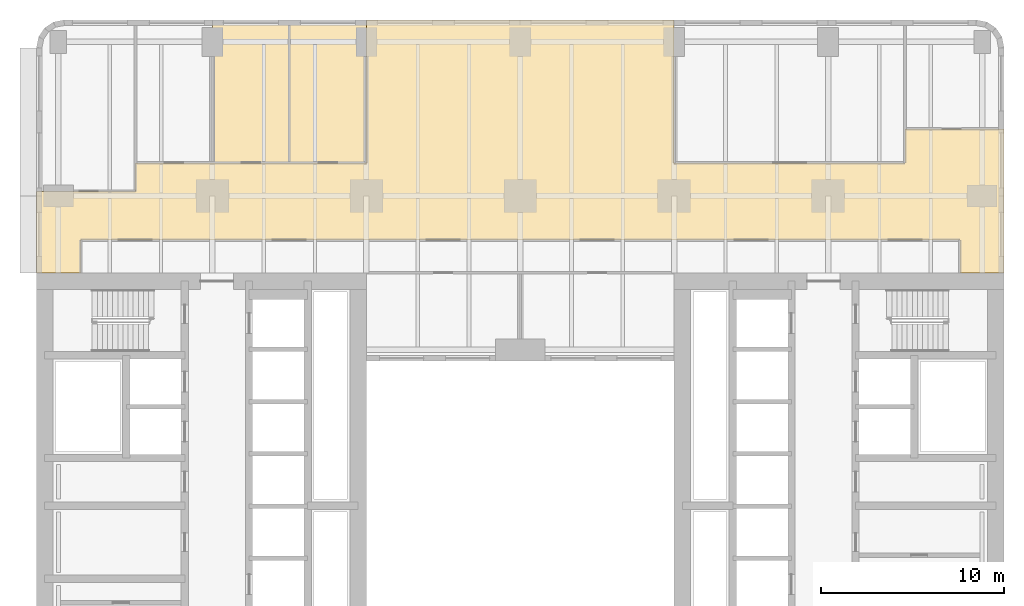
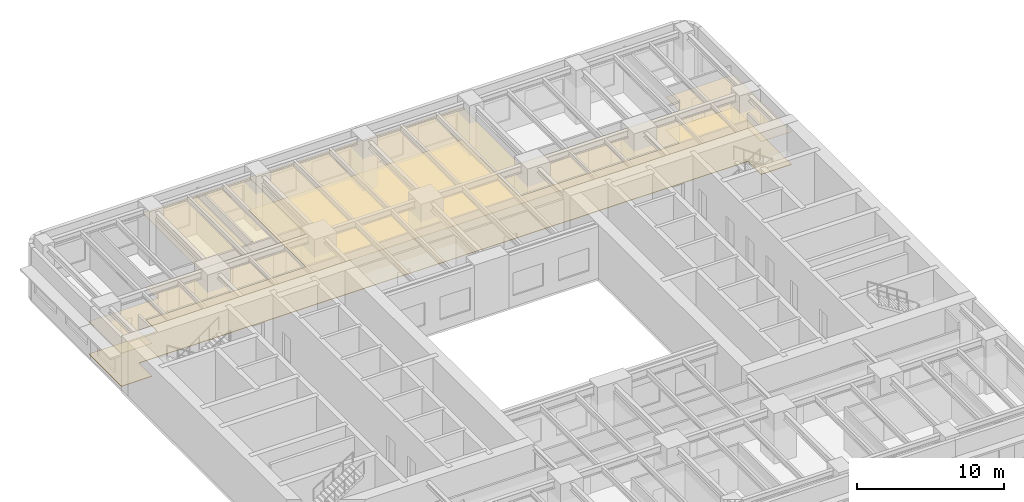
# One storey, part 13 of 14: 4 coverings.
"""IFC4 building model written with IfcOpenShell, lengths in metres."""

from ifc_helpers import new_model, si_unit, direction, frame, origin, place, context, subcontext, project, spatial, polyline, outline, extrude, material, layer, layer_set, type_object, element, save


model = new_model("IFC4")

# Units and contexts
model_context = context("Model", 3, precision=1e-05, world=origin(), true_north=direction((0.0, 1.0)))
body_context = subcontext(model_context, "Body", "Model", "MODEL_VIEW")
ifc_project = project(units=[si_unit("LENGTHUNIT", "METRE"), si_unit("AREAUNIT", "SQUARE_METRE"), si_unit("VOLUMEUNIT", "CUBIC_METRE"), si_unit("PLANEANGLEUNIT", "RADIAN"), si_unit("MASSUNIT", "GRAM", prefix="KILO")], contexts=[model_context])

# Site, building, storey
site_placement = place(None, origin())
site = spatial("IfcSite", under=ifc_project, at=site_placement, CompositionType="ELEMENT")
building_placement = place(site_placement, origin())
building = spatial("IfcBuilding", under=site, at=building_placement, Name="Claustro Exchange Tower", CompositionType="ELEMENT")
storey_placement = place(building_placement, frame((0.0, 0.0, 72.89990234375)))
storey = spatial("IfcBuildingStorey", under=building, at=storey_placement, Name="L16", CompositionType="ELEMENT", Elevation=72.89990234375)

# Coverings
ifc_material_1 = material(Name="Gypsum board ceiling", Category="gypsum board")
ifc_layer_1 = layer(ifc_material_1, 0.02490234375)
ifc_layer_set_1 = layer_set([ifc_layer_1], Name="Gypsum board ceiling")
covering_type_1 = type_object("IfcCoveringType", Name="CL2 plasterboard ceiling", PredefinedType="CEILING", material=ifc_layer_set_1)
covering_1_placement = place(storey_placement, frame((0.0, 0.0, 3.0)))
element("IfcCovering", 1, at=covering_1_placement, inside=storey, type_object=covering_type_1, Name="Ceiling CL2 L16-14", PredefinedType="CEILING", context=body_context, shape_type="SweptSolid", body=[
    extrude(outline(polyline([(-1.199951171875, 42.25), (-1.199951171875, 37.800048828125), (1.199951171875, 37.800048828125), (1.199951171875, 39.60009765625), (49.199951171875, 39.60009765625), (49.199951171875, 37.800048828125), (51.60009765625, 37.800048828125), (51.60009765625, 45.64990234375), (46.199951171875, 45.64990234375), (46.199951171875, 43.800048828125), (33.60009765625, 43.800048828125), (33.60009765625, 51.60009765625), (16.800048828125, 51.60009765625), (16.800048828125, 43.800048828125), (12.60009765625, 43.800048828125), (8.39990234375, 43.800048828125), (4.199951171875, 43.800048828125), (4.199951171875, 42.25), (-1.199951171875, 42.25)])), origin(), (0.0, 0.0, 1.0), 0.025146484375),
])
covering_2_placement = place(storey_placement, frame((0.0, 0.0, 3.0)))
element("IfcCovering", 2, at=covering_2_placement, inside=storey, type_object=covering_type_1, Name="Ceiling CL2 L16-17", PredefinedType="CEILING", context=body_context, shape_type="SweptSolid", body=[
    extrude(outline(polyline([(12.60009765625, 51.60009765625), (8.39990234375, 51.60009765625), (8.39990234375, 43.800048828125), (12.60009765625, 43.800048828125), (12.60009765625, 51.60009765625)])), origin(), (0.0, 0.0, 1.0), 0.025146484375),
])
covering_3_placement = place(storey_placement, frame((0.0, 0.0, 3.0)))
element("IfcCovering", 3, at=covering_3_placement, inside=storey, type_object=covering_type_1, Name="Ceiling CL2 L16-18", PredefinedType="CEILING", context=body_context, shape_type="SweptSolid", body=[
    extrude(outline(polyline([(16.800048828125, 51.60009765625), (12.60009765625, 51.60009765625), (12.60009765625, 43.800048828125), (16.800048828125, 43.800048828125), (16.800048828125, 51.60009765625)])), origin(), (0.0, 0.0, 1.0), 0.025146484375),
])
ifc_material_2 = material(Name="Steel-encased raised floor panels on pedestals", Category="steel")
ifc_layer_2 = layer(ifc_material_2, 0.0400390625)
ifc_layer_set_2 = layer_set([ifc_layer_2], Name="Steel-encased raised floor panels on pedestals")
covering_type_2 = type_object("IfcCoveringType", Name="RF1 300 raised access floor", PredefinedType="FLOORING", material=ifc_layer_set_2)
covering_4_placement = place(storey_placement, frame((0.0, 0.0, 0.260009765625)))
element("IfcCovering", 4, at=covering_4_placement, inside=storey, type_object=covering_type_2, Name="Raised access floor RF1 L16-14", PredefinedType="FLOORING", context=body_context, shape_type="SweptSolid", body=[
    extrude(outline(polyline([(-1.199951171875, 42.25), (-1.199951171875, 37.800048828125), (1.199951171875, 37.800048828125), (1.199951171875, 39.60009765625), (49.199951171875, 39.60009765625), (49.199951171875, 37.800048828125), (51.60009765625, 37.800048828125), (51.60009765625, 45.64990234375), (46.199951171875, 45.64990234375), (46.199951171875, 43.800048828125), (33.60009765625, 43.800048828125), (33.60009765625, 51.60009765625), (16.800048828125, 51.60009765625), (16.800048828125, 43.800048828125), (12.60009765625, 43.800048828125), (8.39990234375, 43.800048828125), (4.199951171875, 43.800048828125), (4.199951171875, 42.25), (-1.199951171875, 42.25)])), origin(), (0.0, 0.0, 1.0), 0.0400390625),
])

save(model, "model.ifc")
